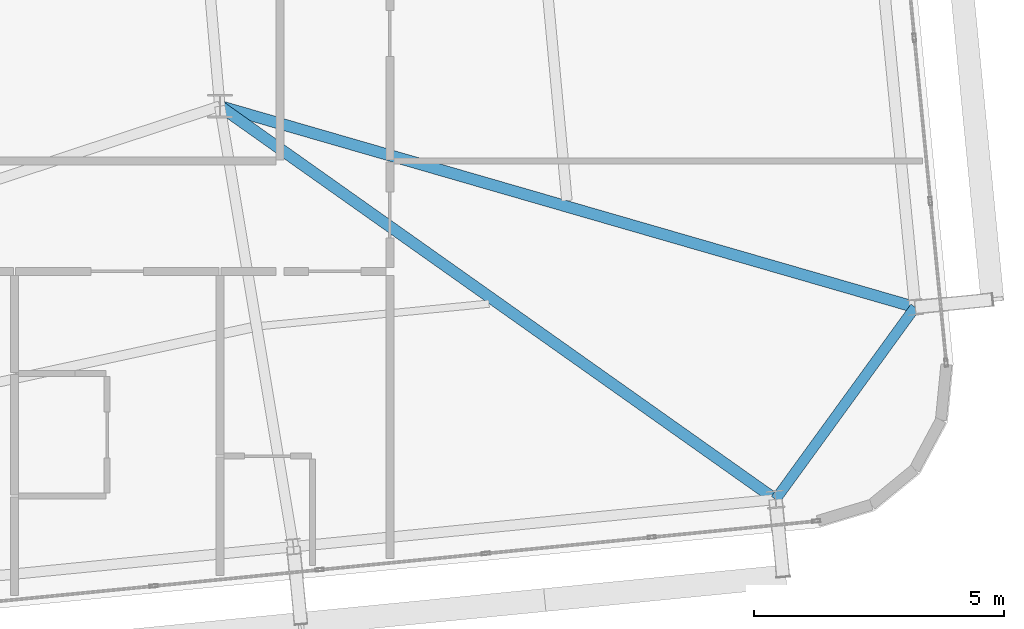
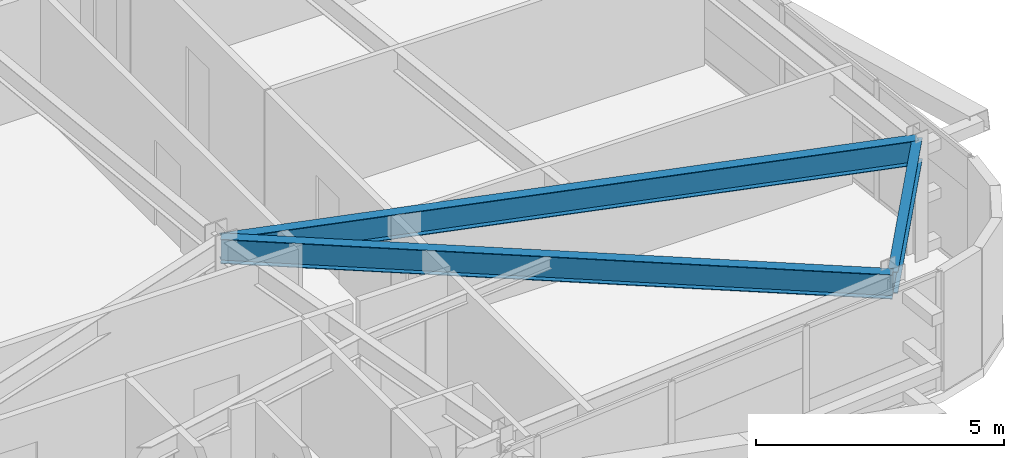
# One storey, part 21 of 53: 3 beams.
"""IFC4 building model written with IfcOpenShell, lengths in metres."""

import ifcopenshell
import ifcopenshell.guid

model = None  # the IFC model being written
_history = None  # IfcOwnerHistory: only IFC2X3 demands one
_inside = {}  # id of a spatial element -> (the spatial element, [elements in it])
_under = {}  # id of a project, library or spatial element -> (it, [spatial elements below it])
_declared = {}  # id of a project -> (the project, [libraries it declares])
_typed = {}  # id of a type object -> (the type object, [elements of that type])
_made_of = {}  # id of a material, layer set ... -> (it, [elements and type objects made of it])


def new_model(schema):
    """Start an empty IFC model of exactly this schema.

    Asked for "IFC4X3", IfcOpenShell would pick the latest addendum, in which some entities
    have other attributes; the version numbers below select the first issue.
    IFC2X3 requires an IfcOwnerHistory on every rooted entity: one is made here for all.
    """
    global model, _history
    if schema == "IFC4X3":
        model = ifcopenshell.file(schema_version=(4, 3, 0, 0))
    else:
        model = ifcopenshell.file(schema=schema)
    _inside.clear()
    _under.clear()
    _declared.clear()
    _typed.clear()
    _made_of.clear()
    _history = None
    if model.schema == "IFC2X3":
        org = make("IfcOrganization", Name="unknown")
        user = make(
            "IfcPersonAndOrganization",
            ThePerson=make("IfcPerson", FamilyName="unknown"),
            TheOrganization=org,
        )
        app = make(
            "IfcApplication",
            ApplicationDeveloper=org,
            Version="unknown",
            ApplicationFullName="unknown",
            ApplicationIdentifier="unknown",
        )
        _history = make(
            "IfcOwnerHistory",
            OwningUser=user,
            OwningApplication=app,
            ChangeAction="ADDED",
            CreationDate=0,
        )
    return model


def make(cls, **values):
    """One entity of the class cls with the attributes given. An attribute that is None is left unset."""
    return model.create_entity(
        cls, **{name: value for name, value in values.items() if value is not None}
    )


def rooted(cls, **values):
    """An entity with a GlobalId (a new one), such as an element, a storey or a relation."""
    return make(cls, GlobalId=ifcopenshell.guid.new(), OwnerHistory=_history, **values)


def si_unit(unit_type, name, prefix=None):
    """IfcSIUnit, for example si_unit("LENGTHUNIT", "METRE", prefix="MILLI")."""
    return make("IfcSIUnit", UnitType=unit_type, Prefix=prefix, Name=name)


def assignment(units):
    """IfcUnitAssignment: the units of a project."""
    return None if units is None else make("IfcUnitAssignment", Units=units)


def point(xyz):
    """IfcCartesianPoint."""
    return None if xyz is None else make("IfcCartesianPoint", Coordinates=xyz)


def direction(xyz):
    """IfcDirection."""
    return None if xyz is None else make("IfcDirection", DirectionRatios=xyz)


def frame(location, z_axis=None, x_axis=None):
    """IfcAxis2Placement3D, a coordinate frame: its origin and axes. An axis left out is left unset."""
    return make(
        "IfcAxis2Placement3D",
        Location=point(location),
        Axis=direction(z_axis),
        RefDirection=direction(x_axis),
    )


def frame_2d(location, x_axis=None):
    """IfcAxis2Placement2D, a coordinate frame in the plane: its origin and x axis."""
    return make(
        "IfcAxis2Placement2D", Location=point(location), RefDirection=direction(x_axis)
    )


def origin():
    """The frame at (0, 0, 0) with its axes left unset."""
    return frame((0.0, 0.0, 0.0))


def origin_2d():
    """The frame at (0, 0) in the plane with its x axis left unset."""
    return frame_2d((0.0, 0.0))


def place(relative_to, where):
    """IfcLocalPlacement: puts the frame where relative to a parent placement (None: the world)."""
    return make(
        "IfcLocalPlacement", PlacementRelTo=relative_to, RelativePlacement=where
    )


def context(
    kind, dimensions, precision=None, world=None, true_north=None, identifier=None
):
    """IfcGeometricRepresentationContext, for example the 3D "Model" context."""
    return make(
        "IfcGeometricRepresentationContext",
        ContextIdentifier=identifier,
        ContextType=kind,
        CoordinateSpaceDimension=dimensions,
        Precision=precision,
        WorldCoordinateSystem=world,
        TrueNorth=true_north,
    )


def subcontext(parent, identifier, kind, view, scale=None):
    """IfcGeometricRepresentationSubContext, for example "Body" below "Model"."""
    return make(
        "IfcGeometricRepresentationSubContext",
        ContextIdentifier=identifier,
        ContextType=kind,
        ParentContext=parent,
        TargetScale=scale,
        TargetView=view,
    )


def project(units=None, contexts=None):
    """IfcProject with its units and contexts."""
    return rooted(
        "IfcProject",
        Name="project",
        RepresentationContexts=contexts,
        UnitsInContext=assignment(units),
    )


def spatial(cls, under=None, at=None, **own):
    """A site, building, storey or space (cls), placed at a placement, below another one or the project."""
    s = rooted(cls, ObjectPlacement=at, **own)
    if under is not None:
        _under.setdefault(under.id(), (under, []))[1].append(s)
    return s


def profile(cls, at=None, kind="AREA", **sizes):
    """A parametric profile (cls). Its sizes go by their IFC names, for example OverallWidth=200.0."""
    return make(cls, ProfileType=kind, Position=at, **sizes)


def i_section(**sizes):
    """IfcIShapeProfileDef."""
    return profile("IfcIShapeProfileDef", **sizes)


def extrude(swept, where, along, depth):
    """IfcExtrudedAreaSolid: the profile swept, set in the frame where, extruded along a direction by depth."""
    return make(
        "IfcExtrudedAreaSolid",
        SweptArea=swept,
        Position=where,
        ExtrudedDirection=direction(along),
        Depth=depth,
    )


def shape(context_of_items, identifier, shape_type, items):
    """IfcShapeRepresentation: the items that make up one representation, for example the "Body"."""
    return make(
        "IfcShapeRepresentation",
        ContextOfItems=context_of_items,
        RepresentationIdentifier=identifier,
        RepresentationType=shape_type,
        Items=items,
    )


def source(mapping_origin, context_of_items, identifier, shape_type, items):
    """IfcRepresentationMap: a shape defined once, which mapped items show again and again."""
    return make(
        "IfcRepresentationMap",
        MappingOrigin=mapping_origin,
        MappedRepresentation=shape(context_of_items, identifier, shape_type, items),
    )


def transform(
    local_origin,
    x_axis=None,
    y_axis=None,
    z_axis=None,
    scale=None,
    scale2=None,
    scale3=None,
    uniform=True,
):
    """IfcCartesianTransformationOperator3D, or its non-uniform kind. x_axis, y_axis, z_axis: its Axis1, 2, 3."""
    if uniform:
        return make(
            "IfcCartesianTransformationOperator3D",
            Axis1=direction(x_axis),
            Axis2=direction(y_axis),
            LocalOrigin=point(local_origin),
            Scale=scale,
            Axis3=direction(z_axis),
        )
    return make(
        "IfcCartesianTransformationOperator3DnonUniform",
        Axis1=direction(x_axis),
        Axis2=direction(y_axis),
        LocalOrigin=point(local_origin),
        Scale=scale,
        Axis3=direction(z_axis),
        Scale2=scale2,
        Scale3=scale3,
    )


def mapped(mapping_source, mapping_target):
    """IfcMappedItem: shows the shape of a source again, moved by a transform."""
    return make(
        "IfcMappedItem", MappingSource=mapping_source, MappingTarget=mapping_target
    )


def material(Name=None, Category=None):
    """IfcMaterial."""
    return make("IfcMaterial", Name=Name, Category=Category)


def material_profile(
    of_material, cross_section, Name=None, Category=None, Priority=None
):
    """IfcMaterialProfile: a cross section and its material."""
    return make(
        "IfcMaterialProfile",
        Name=Name,
        Material=of_material,
        Profile=cross_section,
        Priority=Priority,
        Category=Category,
    )


def profile_set(profiles, Name=None, composite=None):
    """IfcMaterialProfileSet."""
    return make(
        "IfcMaterialProfileSet",
        Name=Name,
        MaterialProfiles=profiles,
        CompositeProfile=composite,
    )


def made_of(thing, what):
    """Note that an element or type object is made of a material, layer set ...; save() writes the relation."""
    if what is not None:
        _made_of.setdefault(what.id(), (what, []))[1].append(thing)
    return thing


def type_object(cls, material=None, **own):
    """A type object (cls), such as IfcWallType, which elements share."""
    return made_of(rooted(cls, **own), material)


def element(
    cls,
    number,
    at=None,
    inside=None,
    cuts=None,
    type_object=None,
    material=None,
    context=None,
    identifier="Body",
    shape_type=None,
    held_by="IfcProductDefinitionShape",
    body=None,
    shapes=None,
    **own,
):
    """One element of the class cls, such as IfcWall. Its Tag is "e" and its number.

    at: its placement. inside: the storey or other place that contains it. cuts: it is an
    opening in that element (IfcRelVoidsElement). A single representation is given by context,
    identifier, shape_type and body (its items); several are given by shapes. held_by: the class
    of the entity that holds the representations. save() writes the other relations.
    """
    e = rooted(cls, Tag="e%d" % number, ObjectPlacement=at, **own)
    if body is not None:
        shapes = [shape(context, identifier, shape_type, body)]
    if shapes is not None:
        e.Representation = make(held_by, Representations=shapes)
    if inside is not None:
        _inside.setdefault(inside.id(), (inside, []))[1].append(e)
    if cuts is not None:
        rooted(
            "IfcRelVoidsElement", RelatingBuildingElement=cuts, RelatedOpeningElement=e
        )
    if type_object is not None:
        _typed.setdefault(type_object.id(), (type_object, []))[1].append(e)
    return made_of(e, material)


def aggregate(whole, parts):
    """IfcRelAggregates: a whole, such as a stair, and the parts it consists of."""
    return rooted("IfcRelAggregates", RelatingObject=whole, RelatedObjects=parts)


def save(model, path):
    """Write the relations noted so far, then the file.

    IfcRelAggregates (storeys below a building ...), IfcRelContainedInSpatialStructure (elements
    in a storey), IfcRelDefinesByType, IfcRelAssociatesMaterial and IfcRelDeclares: one each for
    every whole, place, type object, material and project.
    """
    for whole, parts in _under.values():
        aggregate(whole, parts)
    for where, things in _inside.values():
        rooted(
            "IfcRelContainedInSpatialStructure",
            RelatedElements=things,
            RelatingStructure=where,
        )
    for kind, things in _typed.values():
        rooted("IfcRelDefinesByType", RelatedObjects=things, RelatingType=kind)
    for what, things in _made_of.values():
        rooted("IfcRelAssociatesMaterial", RelatedObjects=things, RelatingMaterial=what)
    for by, libraries in _declared.values():
        rooted("IfcRelDeclares", RelatingContext=by, RelatedDefinitions=libraries)
    model.write(path)


model = new_model("IFC4")

# Units and contexts
model_context = context("Model", 3, precision=1e-05, world=origin(), true_north=direction((0.0, 1.0)))
body_context = subcontext(model_context, "Body", "Model", "MODEL_VIEW")
ifc_project = project(units=[si_unit("LENGTHUNIT", "METRE"), si_unit("AREAUNIT", "SQUARE_METRE"), si_unit("VOLUMEUNIT", "CUBIC_METRE"), si_unit("PLANEANGLEUNIT", "RADIAN"), si_unit("MASSUNIT", "GRAM", prefix="KILO")], contexts=[model_context])

# Site, building, storey
site_placement = place(None, origin())
site = spatial("IfcSite", under=ifc_project, at=site_placement, CompositionType="ELEMENT")
building_placement = place(site_placement, origin())
building = spatial("IfcBuilding", under=site, at=building_placement, Name="Taldren Reach Tower", CompositionType="ELEMENT")
storey_placement = place(building_placement, frame((0.0, 0.0, 71.39990234375)))
storey = spatial("IfcBuildingStorey", under=building, at=storey_placement, Name="L21", CompositionType="ELEMENT", Elevation=71.39990234375)

# Beams
ifc_material = material(Name="Steel Gr 350 (350PLUS)", Category="steel")
ifc_material_profile_1 = material_profile(ifc_material, i_section(OverallWidth=0.208984375, OverallDepth=0.528076171875, WebThickness=0.009521484375, FlangeThickness=0.01318359375, at=origin_2d()), Name="530UB82.0")
ifc_profile_set_1 = profile_set([ifc_material_profile_1], Name="Steel Gr 350 (350PLUS)")
beam_type_1 = type_object("IfcBeamType", Name="SP-UB530B", PredefinedType="SPANDREL", material=ifc_profile_set_1)
shared_shape_1 = source(origin(), body_context, "Body", "SweptSolid", [
    extrude(i_section(OverallWidth=0.208984375, OverallDepth=0.528076171875, WebThickness=0.009521484375, FlangeThickness=0.01318359375, at=origin_2d()), origin(), (0.0, 0.0, 1.0), 4.74609375),
])
beam_1_placement = place(storey_placement, frame((63.103271484375, 4.64306640625, 2.666015625), z_axis=(0.58750777154, 0.809218523255, 0.0), x_axis=(-0.809218523255, 0.58750777154, 0.0)))
element("IfcBeam", 1, at=beam_1_placement, inside=storey, type_object=beam_type_1, Name="Perimeter spandrel B2 S6-E1 L21", PredefinedType="SPANDREL", context=body_context, shape_type="MappedRepresentation", body=[
    mapped(shared_shape_1, transform((0.0, 0.0, 0.0), scale=1.0)),
])
ifc_material_profile_2 = material_profile(ifc_material, i_section(OverallWidth=0.22802734375, OverallDepth=0.60205078125, WebThickness=0.010498046875, FlangeThickness=0.014892578125, at=origin_2d()), Name="610UB101")
ifc_profile_set_2 = profile_set([ifc_material_profile_2], Name="Steel Gr 350 (350PLUS)")
beam_type_2 = type_object("IfcBeamType", Name="BM-UB610B", PredefinedType="BEAM", material=ifc_profile_set_2)
shared_shape_2 = source(origin(), body_context, "Body", "SweptSolid", [
    extrude(i_section(OverallWidth=0.22802734375, OverallDepth=0.60205078125, WebThickness=0.010498046875, FlangeThickness=0.014892578125, at=origin_2d()), origin(), (0.0, 0.0, 1.0), 13.60205078125),
])
beam_2_placement = place(storey_placement, frame((52.0, 12.5, 2.629150390625), z_axis=(0.816297773281, -0.577631323022, 0.0), x_axis=(0.577631323022, 0.816297773281, 0.0)))
element("IfcBeam", 2, at=beam_2_placement, inside=storey, type_object=beam_type_2, Name="Primary floor girder B2-S6 L21", PredefinedType="BEAM", context=body_context, shape_type="MappedRepresentation", body=[
    mapped(shared_shape_2, transform((0.0, 0.0, 0.0), scale=1.0)),
])
shared_shape_3 = source(origin(), body_context, "Body", "SweptSolid", [
    extrude(i_section(OverallWidth=0.22802734375, OverallDepth=0.60205078125, WebThickness=0.010498046875, FlangeThickness=0.014892578125, at=origin_2d()), origin(), (0.0, 0.0, 1.0), 14.46044921875),
])
beam_3_placement = place(storey_placement, frame((52.0, 12.5, 2.629150390625), z_axis=(0.960654638583, -0.277745684698, 0.0), x_axis=(0.277745684698, 0.960654638583, 0.0)))
element("IfcBeam", 3, at=beam_3_placement, inside=storey, type_object=beam_type_2, Name="Primary floor girder B2-E1 L21", PredefinedType="BEAM", context=body_context, shape_type="MappedRepresentation", body=[
    mapped(shared_shape_3, transform((0.0, 0.0, 0.0), scale=1.0)),
])

save(model, "model.ifc")
